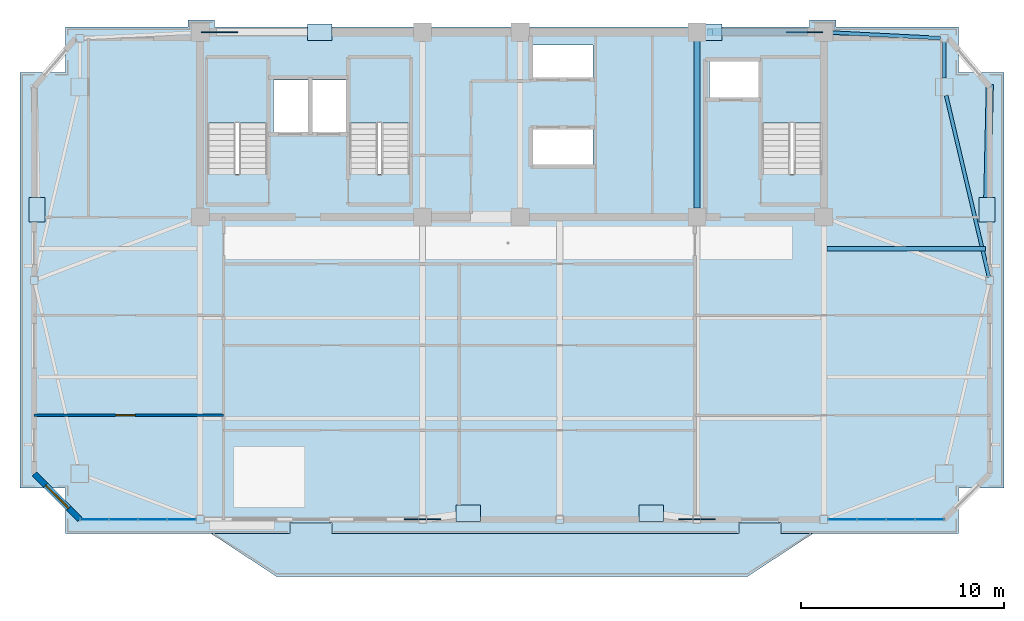
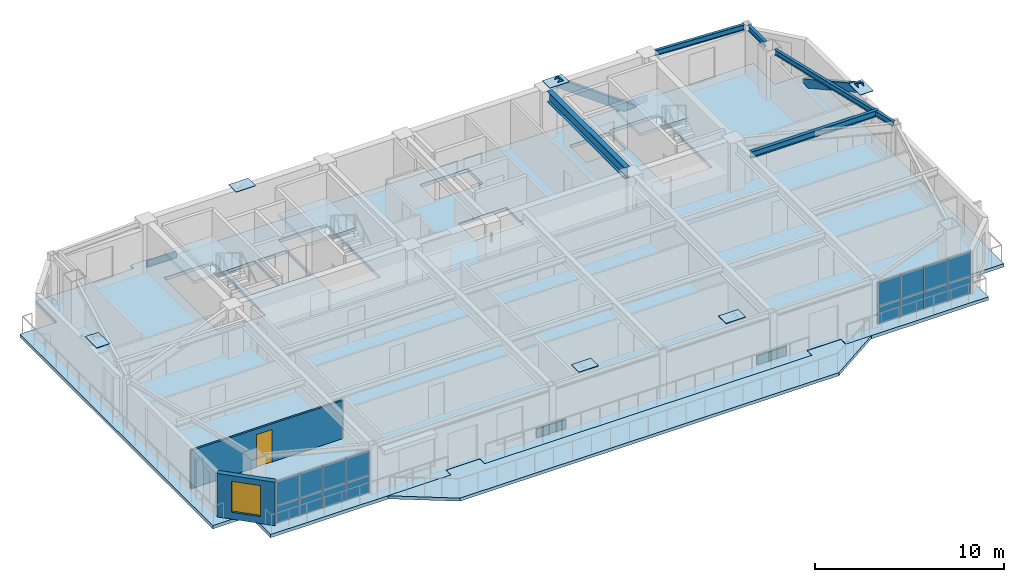
# One storey, part 5 of 13: 26 plates, 5 beams, 5 slabs, 2 members, 2 walls, 1 door, 1 window, 2 openings, 5 elements without a shape of their own.
"""IFC4 building model written with IfcOpenShell, lengths in metres."""

import ifcopenshell
import ifcopenshell.guid

model = None  # the IFC model being written
_history = None  # IfcOwnerHistory: only IFC2X3 demands one
_inside = {}  # id of a spatial element -> (the spatial element, [elements in it])
_under = {}  # id of a project, library or spatial element -> (it, [spatial elements below it])
_declared = {}  # id of a project -> (the project, [libraries it declares])
_typed = {}  # id of a type object -> (the type object, [elements of that type])
_made_of = {}  # id of a material, layer set ... -> (it, [elements and type objects made of it])


def new_model(schema):
    """Start an empty IFC model of exactly this schema.

    Asked for "IFC4X3", IfcOpenShell would pick the latest addendum, in which some entities
    have other attributes; the version numbers below select the first issue.
    IFC2X3 requires an IfcOwnerHistory on every rooted entity: one is made here for all.
    """
    global model, _history
    if schema == "IFC4X3":
        model = ifcopenshell.file(schema_version=(4, 3, 0, 0))
    else:
        model = ifcopenshell.file(schema=schema)
    _inside.clear()
    _under.clear()
    _declared.clear()
    _typed.clear()
    _made_of.clear()
    _history = None
    if model.schema == "IFC2X3":
        org = make("IfcOrganization", Name="unknown")
        user = make(
            "IfcPersonAndOrganization",
            ThePerson=make("IfcPerson", FamilyName="unknown"),
            TheOrganization=org,
        )
        app = make(
            "IfcApplication",
            ApplicationDeveloper=org,
            Version="unknown",
            ApplicationFullName="unknown",
            ApplicationIdentifier="unknown",
        )
        _history = make(
            "IfcOwnerHistory",
            OwningUser=user,
            OwningApplication=app,
            ChangeAction="ADDED",
            CreationDate=0,
        )
    return model


def make(cls, **values):
    """One entity of the class cls with the attributes given. An attribute that is None is left unset."""
    return model.create_entity(
        cls, **{name: value for name, value in values.items() if value is not None}
    )


def rooted(cls, **values):
    """An entity with a GlobalId (a new one), such as an element, a storey or a relation."""
    return make(cls, GlobalId=ifcopenshell.guid.new(), OwnerHistory=_history, **values)


def si_unit(unit_type, name, prefix=None):
    """IfcSIUnit, for example si_unit("LENGTHUNIT", "METRE", prefix="MILLI")."""
    return make("IfcSIUnit", UnitType=unit_type, Prefix=prefix, Name=name)


def assignment(units):
    """IfcUnitAssignment: the units of a project."""
    return None if units is None else make("IfcUnitAssignment", Units=units)


def point(xyz):
    """IfcCartesianPoint."""
    return None if xyz is None else make("IfcCartesianPoint", Coordinates=xyz)


def direction(xyz):
    """IfcDirection."""
    return None if xyz is None else make("IfcDirection", DirectionRatios=xyz)


def frame(location, z_axis=None, x_axis=None):
    """IfcAxis2Placement3D, a coordinate frame: its origin and axes. An axis left out is left unset."""
    return make(
        "IfcAxis2Placement3D",
        Location=point(location),
        Axis=direction(z_axis),
        RefDirection=direction(x_axis),
    )


def frame_2d(location, x_axis=None):
    """IfcAxis2Placement2D, a coordinate frame in the plane: its origin and x axis."""
    return make(
        "IfcAxis2Placement2D", Location=point(location), RefDirection=direction(x_axis)
    )


def origin():
    """The frame at (0, 0, 0) with its axes left unset."""
    return frame((0.0, 0.0, 0.0))


def origin_2d():
    """The frame at (0, 0) in the plane with its x axis left unset."""
    return frame_2d((0.0, 0.0))


def place(relative_to, where):
    """IfcLocalPlacement: puts the frame where relative to a parent placement (None: the world)."""
    return make(
        "IfcLocalPlacement", PlacementRelTo=relative_to, RelativePlacement=where
    )


def context(
    kind, dimensions, precision=None, world=None, true_north=None, identifier=None
):
    """IfcGeometricRepresentationContext, for example the 3D "Model" context."""
    return make(
        "IfcGeometricRepresentationContext",
        ContextIdentifier=identifier,
        ContextType=kind,
        CoordinateSpaceDimension=dimensions,
        Precision=precision,
        WorldCoordinateSystem=world,
        TrueNorth=true_north,
    )


def subcontext(parent, identifier, kind, view, scale=None):
    """IfcGeometricRepresentationSubContext, for example "Body" below "Model"."""
    return make(
        "IfcGeometricRepresentationSubContext",
        ContextIdentifier=identifier,
        ContextType=kind,
        ParentContext=parent,
        TargetScale=scale,
        TargetView=view,
    )


def project(units=None, contexts=None):
    """IfcProject with its units and contexts."""
    return rooted(
        "IfcProject",
        Name="project",
        RepresentationContexts=contexts,
        UnitsInContext=assignment(units),
    )


def spatial(cls, under=None, at=None, **own):
    """A site, building, storey or space (cls), placed at a placement, below another one or the project."""
    s = rooted(cls, ObjectPlacement=at, **own)
    if under is not None:
        _under.setdefault(under.id(), (under, []))[1].append(s)
    return s


def polyline(points):
    """IfcPolyline through the points."""
    return make("IfcPolyline", Points=[point(p) for p in points])


def profile(cls, at=None, kind="AREA", **sizes):
    """A parametric profile (cls). Its sizes go by their IFC names, for example OverallWidth=200.0."""
    return make(cls, ProfileType=kind, Position=at, **sizes)


def rectangle(**sizes):
    """IfcRectangleProfileDef."""
    return profile("IfcRectangleProfileDef", **sizes)


def hollow_rectangle(**sizes):
    """IfcRectangleHollowProfileDef."""
    return profile("IfcRectangleHollowProfileDef", **sizes)


def i_section(**sizes):
    """IfcIShapeProfileDef."""
    return profile("IfcIShapeProfileDef", **sizes)


def outline(outer, holes=None, kind="AREA"):
    """IfcArbitraryClosedProfileDef: a profile drawn as a closed curve; with holes, ...WithVoids."""
    if holes is None:
        return make("IfcArbitraryClosedProfileDef", ProfileType=kind, OuterCurve=outer)
    return make(
        "IfcArbitraryProfileDefWithVoids",
        ProfileType=kind,
        OuterCurve=outer,
        InnerCurves=holes,
    )


def extrude(swept, where, along, depth):
    """IfcExtrudedAreaSolid: the profile swept, set in the frame where, extruded along a direction by depth."""
    return make(
        "IfcExtrudedAreaSolid",
        SweptArea=swept,
        Position=where,
        ExtrudedDirection=direction(along),
        Depth=depth,
    )


def shape(context_of_items, identifier, shape_type, items):
    """IfcShapeRepresentation: the items that make up one representation, for example the "Body"."""
    return make(
        "IfcShapeRepresentation",
        ContextOfItems=context_of_items,
        RepresentationIdentifier=identifier,
        RepresentationType=shape_type,
        Items=items,
    )


def source(mapping_origin, context_of_items, identifier, shape_type, items):
    """IfcRepresentationMap: a shape defined once, which mapped items show again and again."""
    return make(
        "IfcRepresentationMap",
        MappingOrigin=mapping_origin,
        MappedRepresentation=shape(context_of_items, identifier, shape_type, items),
    )


def transform(
    local_origin,
    x_axis=None,
    y_axis=None,
    z_axis=None,
    scale=None,
    scale2=None,
    scale3=None,
    uniform=True,
):
    """IfcCartesianTransformationOperator3D, or its non-uniform kind. x_axis, y_axis, z_axis: its Axis1, 2, 3."""
    if uniform:
        return make(
            "IfcCartesianTransformationOperator3D",
            Axis1=direction(x_axis),
            Axis2=direction(y_axis),
            LocalOrigin=point(local_origin),
            Scale=scale,
            Axis3=direction(z_axis),
        )
    return make(
        "IfcCartesianTransformationOperator3DnonUniform",
        Axis1=direction(x_axis),
        Axis2=direction(y_axis),
        LocalOrigin=point(local_origin),
        Scale=scale,
        Axis3=direction(z_axis),
        Scale2=scale2,
        Scale3=scale3,
    )


def mapped(mapping_source, mapping_target):
    """IfcMappedItem: shows the shape of a source again, moved by a transform."""
    return make(
        "IfcMappedItem", MappingSource=mapping_source, MappingTarget=mapping_target
    )


def material(Name=None, Category=None):
    """IfcMaterial."""
    return make("IfcMaterial", Name=Name, Category=Category)


def layer(
    of_material, thickness, ventilated=None, Name=None, Category=None, Priority=None
):
    """IfcMaterialLayer: one layer of a wall or slab, of a material (None: an air gap)."""
    return make(
        "IfcMaterialLayer",
        Material=of_material,
        LayerThickness=thickness,
        IsVentilated=ventilated,
        Name=Name,
        Category=Category,
        Priority=Priority,
    )


def layer_set(layers, Name=None):
    """IfcMaterialLayerSet."""
    return make("IfcMaterialLayerSet", MaterialLayers=layers, LayerSetName=Name)


def material_profile(
    of_material, cross_section, Name=None, Category=None, Priority=None
):
    """IfcMaterialProfile: a cross section and its material."""
    return make(
        "IfcMaterialProfile",
        Name=Name,
        Material=of_material,
        Profile=cross_section,
        Priority=Priority,
        Category=Category,
    )


def profile_set(profiles, Name=None, composite=None):
    """IfcMaterialProfileSet."""
    return make(
        "IfcMaterialProfileSet",
        Name=Name,
        MaterialProfiles=profiles,
        CompositeProfile=composite,
    )


def made_of(thing, what):
    """Note that an element or type object is made of a material, layer set ...; save() writes the relation."""
    if what is not None:
        _made_of.setdefault(what.id(), (what, []))[1].append(thing)
    return thing


def type_object(cls, material=None, **own):
    """A type object (cls), such as IfcWallType, which elements share."""
    return made_of(rooted(cls, **own), material)


def element(
    cls,
    number,
    at=None,
    inside=None,
    cuts=None,
    type_object=None,
    material=None,
    context=None,
    identifier="Body",
    shape_type=None,
    held_by="IfcProductDefinitionShape",
    body=None,
    shapes=None,
    **own,
):
    """One element of the class cls, such as IfcWall. Its Tag is "e" and its number.

    at: its placement. inside: the storey or other place that contains it. cuts: it is an
    opening in that element (IfcRelVoidsElement). A single representation is given by context,
    identifier, shape_type and body (its items); several are given by shapes. held_by: the class
    of the entity that holds the representations. save() writes the other relations.
    """
    e = rooted(cls, Tag="e%d" % number, ObjectPlacement=at, **own)
    if body is not None:
        shapes = [shape(context, identifier, shape_type, body)]
    if shapes is not None:
        e.Representation = make(held_by, Representations=shapes)
    if inside is not None:
        _inside.setdefault(inside.id(), (inside, []))[1].append(e)
    if cuts is not None:
        rooted(
            "IfcRelVoidsElement", RelatingBuildingElement=cuts, RelatedOpeningElement=e
        )
    if type_object is not None:
        _typed.setdefault(type_object.id(), (type_object, []))[1].append(e)
    return made_of(e, material)


def fill(opening, filler):
    """IfcRelFillsElement: the door or window that sits in an opening."""
    return rooted(
        "IfcRelFillsElement",
        RelatingOpeningElement=opening,
        RelatedBuildingElement=filler,
    )


def aggregate(whole, parts):
    """IfcRelAggregates: a whole, such as a stair, and the parts it consists of."""
    return rooted("IfcRelAggregates", RelatingObject=whole, RelatedObjects=parts)


def save(model, path):
    """Write the relations noted so far, then the file.

    IfcRelAggregates (storeys below a building ...), IfcRelContainedInSpatialStructure (elements
    in a storey), IfcRelDefinesByType, IfcRelAssociatesMaterial and IfcRelDeclares: one each for
    every whole, place, type object, material and project.
    """
    for whole, parts in _under.values():
        aggregate(whole, parts)
    for where, things in _inside.values():
        rooted(
            "IfcRelContainedInSpatialStructure",
            RelatedElements=things,
            RelatingStructure=where,
        )
    for kind, things in _typed.values():
        rooted("IfcRelDefinesByType", RelatedObjects=things, RelatingType=kind)
    for what, things in _made_of.values():
        rooted("IfcRelAssociatesMaterial", RelatedObjects=things, RelatingMaterial=what)
    for by, libraries in _declared.values():
        rooted("IfcRelDeclares", RelatingContext=by, RelatedDefinitions=libraries)
    model.write(path)


model = new_model("IFC4")

# Units and contexts
model_context = context("Model", 3, precision=1e-05, world=origin(), true_north=direction((0.0, 1.0)))
body_context = subcontext(model_context, "Body", "Model", "MODEL_VIEW")
ifc_project = project(units=[si_unit("LENGTHUNIT", "METRE"), si_unit("AREAUNIT", "SQUARE_METRE"), si_unit("VOLUMEUNIT", "CUBIC_METRE"), si_unit("PLANEANGLEUNIT", "RADIAN"), si_unit("MASSUNIT", "GRAM", prefix="KILO")], contexts=[model_context])

# Site, building, storey
site_placement = place(None, origin())
site = spatial("IfcSite", under=ifc_project, at=site_placement, CompositionType="ELEMENT")
building_placement = place(site_placement, origin())
building = spatial("IfcBuilding", under=site, at=building_placement, Name="Giltprow Tower", CompositionType="ELEMENT")
storey_placement = place(building_placement, frame((0.0, 0.0, 335.699951171875)))
storey = spatial("IfcBuildingStorey", under=building, at=storey_placement, Name="L87", CompositionType="ELEMENT", Elevation=335.699951171875)

# Beams
ifc_material_1 = material(Name="Structural steel Q355B", Category="steel")
ifc_material_profile_1 = material_profile(ifc_material_1, i_section(OverallWidth=0.300048828125, OverallDepth=0.699951171875, WebThickness=0.012939453125, FlangeThickness=0.02392578125, at=origin_2d()), Name="HN 700x300x13x24")
ifc_profile_set_1 = profile_set([ifc_material_profile_1], Name="Structural steel Q355B")
beam_type_1 = type_object("IfcBeamType", Name="BM-GIRD-HN700", PredefinedType="BEAM", material=ifc_profile_set_1)
shared_shape_1 = source(origin(), body_context, "Body", "SweptSolid", [
    extrude(i_section(OverallWidth=0.300048828125, OverallDepth=0.699951171875, WebThickness=0.012939453125, FlangeThickness=0.02392578125, at=origin_2d()), origin(), (0.0, 0.0, 1.0), 8.22998046875),
])
beam_1_placement = place(storey_placement, frame((44.300048828125, 37.885009765625, 2.8349609375), z_axis=(0.0, 1.0, 0.0), x_axis=(-1.0, 0.0, 0.0)))
element("IfcBeam", 1, at=beam_1_placement, inside=storey, type_object=beam_type_1, Name="L87 Core Tie Girder M3", PredefinedType="BEAM", context=body_context, shape_type="MappedRepresentation", body=[
    mapped(shared_shape_1, transform((0.0, 0.0, 0.0), x_axis=(1.0, 0.0, 0.0), y_axis=(0.0, 1.0, 0.0), z_axis=(0.0, 0.0, 1.0), scale=1.0)),
])
ifc_material_profile_2 = material_profile(ifc_material_1, i_section(OverallWidth=0.175048828125, OverallDepth=0.35009765625, WebThickness=0.007080078125, FlangeThickness=0.010986328125, at=origin_2d()), Name="HN 350x175x7x11")
ifc_profile_set_2 = profile_set([ifc_material_profile_2], Name="Structural steel Q355B")
beam_type_2 = type_object("IfcBeamType", Name="BM-SPAN-HN350", PredefinedType="SPANDREL", material=ifc_profile_set_2)
shared_shape_2 = source(origin(), body_context, "Body", "SweptSolid", [
    extrude(i_section(OverallWidth=0.175048828125, OverallDepth=0.35009765625, WebThickness=0.007080078125, FlangeThickness=0.010986328125, at=origin_2d()), origin(), (0.0, 0.0, 1.0), 9.161865234375),
])
beam_2_placement = place(storey_placement, frame((58.673095703125, 34.513916015625, 3.010009765625), z_axis=(-0.22964825006, 0.973273692876, 0.0), x_axis=(-0.973273692876, -0.22964825006, 0.0)))
element("IfcBeam", 2, at=beam_2_placement, inside=storey, type_object=beam_type_2, Name="L87 Perimeter Spandrel Beam E_MID-MC_NE", PredefinedType="SPANDREL", context=body_context, shape_type="MappedRepresentation", body=[
    mapped(shared_shape_2, transform((0.0, 0.0, 0.0), x_axis=(1.0, 0.0, 0.0), y_axis=(0.0, 1.0, 0.0), z_axis=(0.0, 0.0, 1.0), scale=1.0)),
])
shared_shape_3 = source(origin(), body_context, "Body", "SweptSolid", [
    extrude(i_section(OverallWidth=0.175048828125, OverallDepth=0.35009765625, WebThickness=0.007080078125, FlangeThickness=0.010986328125, at=origin_2d()), origin(), (0.0, 0.0, 1.0), 1.77587890625),
])
beam_3_placement = place(storey_placement, frame((56.468994140625, 44.2890625, 3.010009765625), z_axis=(0.0, 1.0, 0.0), x_axis=(-1.0, 0.0, 0.0)))
element("IfcBeam", 3, at=beam_3_placement, inside=storey, type_object=beam_type_2, Name="L87 Perimeter Spandrel Beam MC_NE-N_E", PredefinedType="SPANDREL", context=body_context, shape_type="MappedRepresentation", body=[
    mapped(shared_shape_3, transform((0.0, 0.0, 0.0), x_axis=(1.0, 0.0, 0.0), y_axis=(0.0, 1.0, 0.0), z_axis=(0.0, 0.0, 1.0), scale=1.0)),
])
shared_shape_4 = source(origin(), body_context, "Body", "SweptSolid", [
    extrude(i_section(OverallWidth=0.175048828125, OverallDepth=0.35009765625, WebThickness=0.007080078125, FlangeThickness=0.010986328125, at=origin_2d()), origin(), (0.0, 0.0, 1.0), 5.306884765625),
])
beam_4_placement = place(storey_placement, frame((50.98388671875, 46.528076171875, 3.010009765625), z_axis=(0.998714076234, -0.050697080106, 0.0), x_axis=(0.050697080106, 0.998714076234, 0.0)))
element("IfcBeam", 4, at=beam_4_placement, inside=storey, type_object=beam_type_2, Name="L87 North Wing Spandrel E", PredefinedType="SPANDREL", context=body_context, shape_type="MappedRepresentation", body=[
    mapped(shared_shape_4, transform((0.0, 0.0, 0.0), x_axis=(1.0, 0.0, 0.0), y_axis=(0.0, 1.0, 0.0), z_axis=(0.0, 0.0, 1.0), scale=1.0)),
])
ifc_material_profile_3 = material_profile(ifc_material_1, i_section(OverallWidth=0.199951171875, OverallDepth=0.39990234375, WebThickness=0.008056640625, FlangeThickness=0.012939453125, at=origin_2d()), Name="HN 400x200x8x13")
ifc_profile_set_3 = profile_set([ifc_material_profile_3], Name="Structural steel Q355B")
beam_type_3 = type_object("IfcBeamType", Name="BM-JOIST-HN400", PredefinedType="JOIST", material=ifc_profile_set_3)
shared_shape_5 = source(origin(), body_context, "Body", "SweptSolid", [
    extrude(i_section(OverallWidth=0.199951171875, OverallDepth=0.39990234375, WebThickness=0.008056640625, FlangeThickness=0.012939453125, at=origin_2d()), origin(), (0.0, 0.0, 1.0), 7.800048828125),
])
beam_5_placement = place(storey_placement, frame((50.695068359375, 35.89208984375, 2.985107421875), z_axis=(1.0, 0.0, 0.0), x_axis=(0.0, 1.0, 0.0)))
element("IfcBeam", 5, at=beam_5_placement, inside=storey, type_object=beam_type_3, Name="L87 East Wing Floor Joist 2", PredefinedType="JOIST", context=body_context, shape_type="MappedRepresentation", body=[
    mapped(shared_shape_5, transform((0.0, 0.0, 0.0), x_axis=(1.0, 0.0, 0.0), y_axis=(0.0, 1.0, 0.0), z_axis=(0.0, 0.0, 1.0), scale=1.0)),
])

# Members
ifc_material_2 = material(Name="Structural steel Q420GJC", Category="steel")
ifc_material_profile_4 = material_profile(ifc_material_2, hollow_rectangle(XDim=0.35009765625, YDim=0.5, WallThickness=0.02392578125, at=origin_2d()), Name="RHS 500x350x24")
ifc_profile_set_4 = profile_set([ifc_material_profile_4], Name="Structural steel Q420GJC")
member_type = type_object("IfcMemberType", Name="MBR-MEGA-RHS500", PredefinedType="BRACE", material=ifc_profile_set_4)
shared_shape_6 = source(origin(), body_context, "Body", "SweptSolid", [
    extrude(hollow_rectangle(XDim=0.35009765625, YDim=0.5, WallThickness=0.02392578125, at=origin_2d()), origin(), (0.0, 0.0, 1.0), 5.774169921875),
])
member_1_placement = place(storey_placement, frame((49.60009765625, 46.550048828125, -0.139892578125), z_axis=(-0.808264093398, 0.0, 0.588820138348), x_axis=(0.0, -1.0, 0.0)))
element("IfcMember", 6, at=member_1_placement, inside=storey, type_object=member_type, Name="L87 Chevron Mega-Brace N-R", PredefinedType="BRACE", context=body_context, shape_type="MappedRepresentation", body=[
    mapped(shared_shape_6, transform((0.0, 0.0, 0.0), x_axis=(1.0, 0.0, 0.0), y_axis=(0.0, 1.0, 0.0), z_axis=(0.0, 0.0, 1.0), scale=1.0)),
])
shared_shape_7 = source(origin(), body_context, "Body", "SweptSolid", [
    extrude(hollow_rectangle(XDim=0.35009765625, YDim=0.5, WallThickness=0.02392578125, at=origin_2d()), origin(), (0.0, 0.0, 1.0), 6.9423828125),
])
member_2_placement = place(storey_placement, frame((58.715087890625, 43.85400390625, 0.0), z_axis=(-0.01990469352, -0.871621605819, 0.489775029423), x_axis=(0.99973935152, -0.022830440708, 0.0)))
element("IfcMember", 7, at=member_2_placement, inside=storey, type_object=member_type, Name="L87 Chevron Mega-Brace E-D", PredefinedType="BRACE", context=body_context, shape_type="MappedRepresentation", body=[
    mapped(shared_shape_7, transform((0.0, 0.0, 0.0), x_axis=(1.0, 0.0, 0.0), y_axis=(0.0, 1.0, 0.0), z_axis=(0.0, 0.0, 1.0), scale=1.0)),
])

# Slabs
ifc_material_3 = material(Name="Concrete C40", Category="concrete")
ifc_layer_1 = layer(ifc_material_3, 0.199951171875, Name="Concrete C40")
ifc_layer_set_1 = layer_set([ifc_layer_1], Name="Concrete C40")
slab_type_1 = type_object("IfcSlabType", Name="SLB-BALC-BRONZE-200", PredefinedType="FLOOR", material=ifc_layer_set_1)
slab_1_placement = place(storey_placement, frame((0.0, 0.0, -0.199951171875)))
element("IfcSlab", 8, at=slab_1_placement, inside=storey, type_object=slab_type_1, Name="L87 Bronze Prow Waterfront Balcony Slab", PredefinedType="FLOOR", context=body_context, shape_type="SweptSolid", body=[
    extrude(outline(polyline([(50.0, 21.867919921875), (46.800048828125, 19.76806640625), (23.60009765625, 19.76806640625), (20.39990234375, 21.867919921875), (24.280029296875, 21.867919921875), (24.280029296875, 22.367919921875), (26.320068359375, 22.367919921875), (26.320068359375, 21.867919921875), (46.3798828125, 21.867919921875), (46.3798828125, 22.367919921875), (48.419921875, 22.367919921875), (48.419921875, 21.867919921875), (50.0, 21.867919921875)])), origin(), (0.0, 0.0, 1.0), 0.199951171875),
])
ifc_layer_2 = layer(ifc_material_3, 0.215087890625, Name="Concrete C40")
ifc_layer_set_2 = layer_set([ifc_layer_2], Name="Concrete C40")
slab_type_2 = type_object("IfcSlabType", Name="SLB-RES-215", PredefinedType="FLOOR", material=ifc_layer_set_2)
slab_2_placement = place(storey_placement, frame((0.0, 0.0, -0.21484375)))
element("IfcSlab", 9, at=slab_2_placement, inside=storey, type_object=slab_type_2, Name="L87 Structural Composite Floor Slab", PredefinedType="FLOOR", context=body_context, shape_type="SweptSolid", body=[
    extrude(outline(polyline([(59.4150390625, 44.553955078125), (59.4150390625, 24.114013671875), (57.1689453125, 24.114013671875), (57.1689453125, 21.867919921875), (48.449951171875, 21.867919921875), (48.449951171875, 22.387939453125), (46.35009765625, 22.387939453125), (46.35009765625, 21.867919921875), (26.35009765625, 21.867919921875), (26.35009765625, 22.387939453125), (24.25, 22.387939453125), (24.25, 21.867919921875), (13.23095703125, 21.867919921875), (13.23095703125, 24.114013671875), (10.985107421875, 24.114013671875), (10.985107421875, 44.553955078125), (13.23095703125, 44.553955078125), (13.23095703125, 46.800048828125), (19.25, 46.800048828125), (19.25, 47.14990234375), (20.550048828125, 47.14990234375), (20.550048828125, 46.800048828125), (49.85009765625, 46.800048828125), (49.85009765625, 47.14990234375), (51.14990234375, 47.14990234375), (51.14990234375, 46.800048828125), (57.1689453125, 46.800048828125), (57.1689453125, 44.553955078125), (59.4150390625, 44.553955078125)]), holes=[polyline([(39.18994140625, 41.800048828125), (36.239990234375, 41.800048828125), (36.239990234375, 40.0), (39.18994140625, 40.0), (39.18994140625, 41.800048828125)]), polyline([(23.159912109375, 39.570068359375), (23.159912109375, 45.25), (20.199951171875, 45.25), (20.199951171875, 39.570068359375), (23.159912109375, 39.570068359375)]), polyline([(30.159912109375, 39.570068359375), (30.159912109375, 45.25), (27.199951171875, 45.25), (27.199951171875, 39.570068359375), (30.159912109375, 39.570068359375)]), polyline([(50.4599609375, 45.25), (47.5, 45.25), (47.5, 39.570068359375), (50.4599609375, 39.570068359375), (50.4599609375, 45.25)]), polyline([(25.169921875, 44.199951171875), (23.449951171875, 44.199951171875), (23.449951171875, 41.60009765625), (25.169921875, 41.60009765625), (25.169921875, 44.199951171875)]), polyline([(27.10009765625, 44.199951171875), (25.35009765625, 44.199951171875), (25.35009765625, 41.60009765625), (27.10009765625, 41.60009765625), (27.10009765625, 44.199951171875)]), polyline([(47.3798828125, 43.300048828125), (47.3798828125, 45.10009765625), (44.919921875, 45.10009765625), (44.919921875, 43.300048828125), (47.3798828125, 43.300048828125)]), polyline([(39.18994140625, 44.300048828125), (39.18994140625, 45.919921875), (36.239990234375, 45.919921875), (36.239990234375, 44.300048828125), (39.18994140625, 44.300048828125)])]), origin(), (0.0, 0.0, 1.0), 0.21484375),
])

# Stair, slab
stair_type_1 = type_object("IfcStairType", Name="STR-ST-1", PredefinedType="HALF_TURN_STAIR", material=ifc_material_3)
stair_1_placement = place(storey_placement, origin())
stair_1 = element("IfcStair", 10, at=stair_1_placement, inside=storey, type_object=stair_type_1, Name="L87 Core Exit Stair ST-1", PredefinedType="HALF_TURN_STAIR")
ifc_layer_3 = layer(ifc_material_3, 0.179931640625, Name="Concrete C40")
ifc_layer_set_3 = layer_set([ifc_layer_3], Name="Concrete C40")
slab_type_3 = type_object("IfcSlabType", Name="SLD-ST-1", PredefinedType="LANDING", material=ifc_layer_set_3)
slab_3_placement = place(storey_placement, frame((0.0, 0.0, 1.52001953125)))
slab_3 = element("IfcSlab", 11, at=slab_3_placement, type_object=slab_type_3, Name="ST-1 landing 1", PredefinedType="LANDING", context=body_context, shape_type="SweptSolid", body=[
    extrude(outline(polyline([(23.159912109375, 42.070068359375), (23.159912109375, 45.25), (20.199951171875, 45.25), (20.199951171875, 42.070068359375), (23.159912109375, 42.070068359375)])), origin(), (0.0, 0.0, 1.0), 0.179931640625),
])
aggregate(stair_1, [slab_3])

stair_type_2 = type_object("IfcStairType", Name="STR-ST-2", PredefinedType="HALF_TURN_STAIR", material=ifc_material_3)
stair_2_placement = place(storey_placement, origin())
stair_2 = element("IfcStair", 12, at=stair_2_placement, inside=storey, type_object=stair_type_2, Name="L87 Core Exit Stair ST-2", PredefinedType="HALF_TURN_STAIR")
ifc_layer_4 = layer(ifc_material_3, 0.18798828125, Name="Concrete C40")
ifc_layer_set_4 = layer_set([ifc_layer_4], Name="Concrete C40")
slab_type_4 = type_object("IfcSlabType", Name="SLD-ST-2", PredefinedType="LANDING", material=ifc_layer_set_4)
slab_4_placement = place(storey_placement, frame((0.0, 0.0, 1.511962890625)))
slab_4 = element("IfcSlab", 13, at=slab_4_placement, type_object=slab_type_4, Name="ST-2 landing 1", PredefinedType="LANDING", context=body_context, shape_type="SweptSolid", body=[
    extrude(outline(polyline([(30.159912109375, 42.070068359375), (30.159912109375, 45.25), (27.199951171875, 45.25), (27.199951171875, 42.070068359375), (30.159912109375, 42.070068359375)])), origin(), (0.0, 0.0, 1.0), 0.18798828125),
])
aggregate(stair_2, [slab_4])

stair_type_3 = type_object("IfcStairType", Name="STR-ST-3", PredefinedType="HALF_TURN_STAIR", material=ifc_material_3)
stair_3_placement = place(storey_placement, origin())
stair_3 = element("IfcStair", 14, at=stair_3_placement, inside=storey, type_object=stair_type_3, Name="L87 Core Exit Stair ST-3", PredefinedType="HALF_TURN_STAIR")
ifc_layer_5 = layer(ifc_material_3, 0.196044921875, Name="Concrete C40")
ifc_layer_set_5 = layer_set([ifc_layer_5], Name="Concrete C40")
slab_type_5 = type_object("IfcSlabType", Name="SLD-ST-3", PredefinedType="LANDING", material=ifc_layer_set_5)
slab_5_placement = place(storey_placement, frame((0.0, 0.0, 1.504150390625)))
slab_5 = element("IfcSlab", 15, at=slab_5_placement, type_object=slab_type_5, Name="ST-3 landing 1", PredefinedType="LANDING", context=body_context, shape_type="SweptSolid", body=[
    extrude(outline(polyline([(50.4599609375, 42.070068359375), (50.4599609375, 45.25), (47.5, 45.25), (47.5, 42.070068359375), (50.4599609375, 42.070068359375)])), origin(), (0.0, 0.0, 1.0), 0.19580078125),
])
aggregate(stair_3, [slab_5])

# Plates
plate_type_1 = type_object("IfcPlateType", Name="PLT-NODE-MBN1", PredefinedType="USERDEFINED", material=ifc_material_2)
shared_shape_8 = source(origin(), body_context, "Body", "SweptSolid", [
    extrude(rectangle(XDim=1.800048828125, YDim=0.050048828125, at=origin_2d()), origin(), (0.0, 0.0, 1.0), 1.14990234375),
])
for number, where, z_axis, x_axis, name in (
    (16, (30.800048828125, 22.568115234375, -0.574951171875), (0.0, 0.0, 1.0), (1.0, 0.0, 0.0), "Mega-Brace Node L87-S-LA"),
    (17, (44.300048828125, 22.568115234375, -0.574951171875), (0.0, 0.0, 1.0), (1.0, 0.0, 0.0), "Mega-Brace Node L87-S-RA"),
    (18, (20.800048828125, 46.550048828125, -0.71484375), (0.0, 0.0, 1.0), (1.0, 0.0, 0.0), "Mega-Brace Node L87-N-LA"),
    (19, (49.60009765625, 46.550048828125, -0.71484375), (0.0, 0.0, 1.0), (1.0, 0.0, 0.0), "Mega-Brace Node L87-N-RA"),
):
    element("IfcPlate", number, at=place(storey_placement, frame(where, z_axis=z_axis, x_axis=x_axis)), inside=storey, type_object=plate_type_1, Name=name, ObjectType="GUSSET", PredefinedType="USERDEFINED", context=body_context, shape_type="MappedRepresentation", body=[
        mapped(shared_shape_8, transform((0.0, 0.0, 0.0), x_axis=(1.0, 0.0, 0.0), y_axis=(0.0, 1.0, 0.0), z_axis=(0.0, 0.0, 1.0), scale=1.0)),
    ])
plate_type_2 = type_object("IfcPlateType", Name="PLT-CAP-SEAL", PredefinedType="USERDEFINED", material=ifc_material_2)
shared_shape_9 = source(origin(), body_context, "Body", "SweptSolid", [
    extrude(rectangle(XDim=1.199951171875, YDim=0.800048828125, at=origin_2d()), origin(), (0.0, 0.0, 1.0), 0.034912109375),
])
for number, where, z_axis, x_axis, name in (
    (20, (33.050048828125, 22.87890625, 3.3828125), (0.0, 0.0, 1.0), (1.0, 0.0, 0.0), "Mega-Brace Node L87-S-LB"),
    (21, (42.050048828125, 22.87890625, 3.3828125), (0.0, 0.0, 1.0), (1.0, 0.0, 0.0), "Mega-Brace Node L87-S-RB"),
    (22, (25.73291015625, 46.550048828125, 3.24267578125), (0.0, 0.0, 1.0), (1.0, 0.0, 0.0), "Mega-Brace Node L87-N-LB"),
    (23, (44.93310546875, 46.550048828125, 3.24267578125), (0.0, 0.0, 1.0), (1.0, 0.0, 0.0), "Mega-Brace Node L87-N-RB"),
    (24, (11.822998046875, 37.802978515625, 3.3828125), (0.0, 0.0, 1.0), (0.0, 1.0, 0.0), "Mega-Brace Node L87-W-DB"),
    (25, (58.576904296875, 37.802978515625, 3.3828125), (0.0, 0.0, 1.0), (0.0, 1.0, 0.0), "Mega-Brace Node L87-E-DB"),
):
    element("IfcPlate", number, at=place(storey_placement, frame(where, z_axis=z_axis, x_axis=x_axis)), inside=storey, type_object=plate_type_2, Name=name, ObjectType="SPLICE", PredefinedType="USERDEFINED", context=body_context, shape_type="MappedRepresentation", body=[
        mapped(shared_shape_9, transform((0.0, 0.0, 0.0), x_axis=(1.0, 0.0, 0.0), y_axis=(0.0, 1.0, 0.0), z_axis=(0.0, 0.0, 1.0), scale=1.0)),
    ])

# Curtain wall, plates
ifc_material_4 = material(Name="Anodized bronze", Category="metal")
ifc_layer_6 = layer(ifc_material_4, 0.179931640625, Name="Anodized bronze")
ifc_layer_set_6 = layer_set([ifc_layer_6], Name="Anodized bronze")
curtain_wall_type = type_object("IfcCurtainWallType", Name="CW-RES-SKY", PredefinedType="NOTDEFINED", material=ifc_layer_set_6)
curtain_wall_1_placement = place(storey_placement, origin())
curtain_wall_1 = element("IfcCurtainWall", 26, at=curtain_wall_1_placement, inside=storey, type_object=curtain_wall_type, Name="L87 South Recessed Curtain Wall 1", PredefinedType="NOTDEFINED")
ifc_material_5 = material(Name="Insulated glass", Category="glass")
plate_type_3 = type_object("IfcPlateType", Name="CW-PANEL-IGU-28", PredefinedType="CURTAIN_PANEL", material=ifc_material_5)
shared_shape_10 = source(origin(), body_context, "Body", "SweptSolid", [
    extrude(rectangle(XDim=1.39990234375, YDim=0.028076171875, at=origin_2d()), origin(), (0.0, 0.0, 1.0), 1.114013671875),
])
plate_1_placement = place(storey_placement, frame((14.64599609375, 22.568115234375, 0.05419921875), z_axis=(0.0, 0.0, 1.0), x_axis=(1.0, 0.0, 0.0)))
plate_1 = element("IfcPlate", 27, at=plate_1_placement, type_object=plate_type_3, Name="L87 South Recessed Curtain Wall 1 Glazing Panel 1-1", PredefinedType="CURTAIN_PANEL", context=body_context, shape_type="MappedRepresentation", body=[
    mapped(shared_shape_10, transform((0.0, 0.0, 0.0), x_axis=(1.0, 0.0, 0.0), y_axis=(0.0, 1.0, 0.0), z_axis=(0.0, 0.0, 1.0), scale=1.0)),
])
plate_2_placement = place(storey_placement, frame((16.075927734375, 22.568115234375, 0.05419921875), z_axis=(0.0, 0.0, 1.0), x_axis=(1.0, 0.0, 0.0)))
plate_2 = element("IfcPlate", 28, at=plate_2_placement, type_object=plate_type_3, Name="L87 South Recessed Curtain Wall 1 Glazing Panel 2-1", PredefinedType="CURTAIN_PANEL", context=body_context, shape_type="MappedRepresentation", body=[
    mapped(shared_shape_10, transform((0.0, 0.0, 0.0), x_axis=(1.0, 0.0, 0.0), y_axis=(0.0, 1.0, 0.0), z_axis=(0.0, 0.0, 1.0), scale=1.0)),
])
plate_3_placement = place(storey_placement, frame((17.5048828125, 22.568115234375, 0.05419921875), z_axis=(0.0, 0.0, 1.0), x_axis=(1.0, 0.0, 0.0)))
plate_3 = element("IfcPlate", 29, at=plate_3_placement, type_object=plate_type_3, Name="L87 South Recessed Curtain Wall 1 Glazing Panel 3-1", PredefinedType="CURTAIN_PANEL", context=body_context, shape_type="MappedRepresentation", body=[
    mapped(shared_shape_10, transform((0.0, 0.0, 0.0), x_axis=(1.0, 0.0, 0.0), y_axis=(0.0, 1.0, 0.0), z_axis=(0.0, 0.0, 1.0), scale=1.0)),
])
plate_4_placement = place(storey_placement, frame((18.93505859375, 22.568115234375, 0.05419921875), z_axis=(0.0, 0.0, 1.0), x_axis=(1.0, 0.0, 0.0)))
plate_4 = element("IfcPlate", 30, at=plate_4_placement, type_object=plate_type_3, Name="L87 South Recessed Curtain Wall 1 Glazing Panel 4-1", PredefinedType="CURTAIN_PANEL", context=body_context, shape_type="MappedRepresentation", body=[
    mapped(shared_shape_10, transform((0.0, 0.0, 0.0), x_axis=(1.0, 0.0, 0.0), y_axis=(0.0, 1.0, 0.0), z_axis=(0.0, 0.0, 1.0), scale=1.0)),
])

curtain_wall_2_placement = place(storey_placement, origin())
curtain_wall_2 = element("IfcCurtainWall", 31, at=curtain_wall_2_placement, inside=storey, type_object=curtain_wall_type, Name="L87 South Recessed Curtain Wall 6", PredefinedType="NOTDEFINED")
plate_5_placement = place(storey_placement, frame((51.465087890625, 22.568115234375, 0.05419921875), z_axis=(0.0, 0.0, 1.0), x_axis=(1.0, 0.0, 0.0)))
plate_5 = element("IfcPlate", 32, at=plate_5_placement, type_object=plate_type_3, Name="L87 South Recessed Curtain Wall 6 Glazing Panel 1-1", PredefinedType="CURTAIN_PANEL", context=body_context, shape_type="MappedRepresentation", body=[
    mapped(shared_shape_10, transform((0.0, 0.0, 0.0), x_axis=(1.0, 0.0, 0.0), y_axis=(0.0, 1.0, 0.0), z_axis=(0.0, 0.0, 1.0), scale=1.0)),
])
plate_6_placement = place(storey_placement, frame((52.89501953125, 22.568115234375, 0.05419921875), z_axis=(0.0, 0.0, 1.0), x_axis=(1.0, 0.0, 0.0)))
plate_6 = element("IfcPlate", 33, at=plate_6_placement, type_object=plate_type_3, Name="L87 South Recessed Curtain Wall 6 Glazing Panel 2-1", PredefinedType="CURTAIN_PANEL", context=body_context, shape_type="MappedRepresentation", body=[
    mapped(shared_shape_10, transform((0.0, 0.0, 0.0), x_axis=(1.0, 0.0, 0.0), y_axis=(0.0, 1.0, 0.0), z_axis=(0.0, 0.0, 1.0), scale=1.0)),
])
plate_7_placement = place(storey_placement, frame((54.323974609375, 22.568115234375, 0.05419921875), z_axis=(0.0, 0.0, 1.0), x_axis=(1.0, 0.0, 0.0)))
plate_7 = element("IfcPlate", 34, at=plate_7_placement, type_object=plate_type_3, Name="L87 South Recessed Curtain Wall 6 Glazing Panel 3-1", PredefinedType="CURTAIN_PANEL", context=body_context, shape_type="MappedRepresentation", body=[
    mapped(shared_shape_10, transform((0.0, 0.0, 0.0), x_axis=(1.0, 0.0, 0.0), y_axis=(0.0, 1.0, 0.0), z_axis=(0.0, 0.0, 1.0), scale=1.0)),
])
plate_8_placement = place(storey_placement, frame((55.75390625, 22.568115234375, 0.05419921875), z_axis=(0.0, 0.0, 1.0), x_axis=(1.0, 0.0, 0.0)))
plate_8 = element("IfcPlate", 35, at=plate_8_placement, type_object=plate_type_3, Name="L87 South Recessed Curtain Wall 6 Glazing Panel 4-1", PredefinedType="CURTAIN_PANEL", context=body_context, shape_type="MappedRepresentation", body=[
    mapped(shared_shape_10, transform((0.0, 0.0, 0.0), x_axis=(1.0, 0.0, 0.0), y_axis=(0.0, 1.0, 0.0), z_axis=(0.0, 0.0, 1.0), scale=1.0)),
])

# Plate
shared_shape_11 = source(origin(), body_context, "Body", "SweptSolid", [
    extrude(rectangle(XDim=1.39990234375, YDim=0.028076171875, at=origin_2d()), origin(), (0.0, 0.0, 1.0), 1.56494140625),
])
plate_9_placement = place(storey_placement, frame((14.64599609375, 22.568115234375, 1.195556640625), z_axis=(0.0, 0.0, 1.0), x_axis=(1.0, 0.0, 0.0)))
plate_9 = element("IfcPlate", 36, at=plate_9_placement, type_object=plate_type_3, Name="L87 South Recessed Curtain Wall 1 Glazing Panel 1-2", PredefinedType="CURTAIN_PANEL", context=body_context, shape_type="MappedRepresentation", body=[
    mapped(shared_shape_11, transform((0.0, 0.0, 0.0), x_axis=(1.0, 0.0, 0.0), y_axis=(0.0, 1.0, 0.0), z_axis=(0.0, 0.0, 1.0), scale=1.0)),
])

plate_10_placement = place(storey_placement, frame((16.075927734375, 22.568115234375, 1.195556640625), z_axis=(0.0, 0.0, 1.0), x_axis=(1.0, 0.0, 0.0)))
plate_10 = element("IfcPlate", 37, at=plate_10_placement, type_object=plate_type_3, Name="L87 South Recessed Curtain Wall 1 Glazing Panel 2-2", PredefinedType="CURTAIN_PANEL", context=body_context, shape_type="MappedRepresentation", body=[
    mapped(shared_shape_11, transform((0.0, 0.0, 0.0), x_axis=(1.0, 0.0, 0.0), y_axis=(0.0, 1.0, 0.0), z_axis=(0.0, 0.0, 1.0), scale=1.0)),
])

plate_11_placement = place(storey_placement, frame((17.5048828125, 22.568115234375, 1.195556640625), z_axis=(0.0, 0.0, 1.0), x_axis=(1.0, 0.0, 0.0)))
plate_11 = element("IfcPlate", 38, at=plate_11_placement, type_object=plate_type_3, Name="L87 South Recessed Curtain Wall 1 Glazing Panel 3-2", PredefinedType="CURTAIN_PANEL", context=body_context, shape_type="MappedRepresentation", body=[
    mapped(shared_shape_11, transform((0.0, 0.0, 0.0), x_axis=(1.0, 0.0, 0.0), y_axis=(0.0, 1.0, 0.0), z_axis=(0.0, 0.0, 1.0), scale=1.0)),
])

plate_12_placement = place(storey_placement, frame((18.93505859375, 22.568115234375, 1.195556640625), z_axis=(0.0, 0.0, 1.0), x_axis=(1.0, 0.0, 0.0)))
plate_12 = element("IfcPlate", 39, at=plate_12_placement, type_object=plate_type_3, Name="L87 South Recessed Curtain Wall 1 Glazing Panel 4-2", PredefinedType="CURTAIN_PANEL", context=body_context, shape_type="MappedRepresentation", body=[
    mapped(shared_shape_11, transform((0.0, 0.0, 0.0), x_axis=(1.0, 0.0, 0.0), y_axis=(0.0, 1.0, 0.0), z_axis=(0.0, 0.0, 1.0), scale=1.0)),
])

aggregate(curtain_wall_1, [plate_1, plate_9, plate_2, plate_10, plate_3, plate_11, plate_4, plate_12])

plate_13_placement = place(storey_placement, frame((51.465087890625, 22.568115234375, 1.195556640625), z_axis=(0.0, 0.0, 1.0), x_axis=(1.0, 0.0, 0.0)))
plate_13 = element("IfcPlate", 40, at=plate_13_placement, type_object=plate_type_3, Name="L87 South Recessed Curtain Wall 6 Glazing Panel 1-2", PredefinedType="CURTAIN_PANEL", context=body_context, shape_type="MappedRepresentation", body=[
    mapped(shared_shape_11, transform((0.0, 0.0, 0.0), x_axis=(1.0, 0.0, 0.0), y_axis=(0.0, 1.0, 0.0), z_axis=(0.0, 0.0, 1.0), scale=1.0)),
])

plate_14_placement = place(storey_placement, frame((52.89501953125, 22.568115234375, 1.195556640625), z_axis=(0.0, 0.0, 1.0), x_axis=(1.0, 0.0, 0.0)))
plate_14 = element("IfcPlate", 41, at=plate_14_placement, type_object=plate_type_3, Name="L87 South Recessed Curtain Wall 6 Glazing Panel 2-2", PredefinedType="CURTAIN_PANEL", context=body_context, shape_type="MappedRepresentation", body=[
    mapped(shared_shape_11, transform((0.0, 0.0, 0.0), x_axis=(1.0, 0.0, 0.0), y_axis=(0.0, 1.0, 0.0), z_axis=(0.0, 0.0, 1.0), scale=1.0)),
])

plate_15_placement = place(storey_placement, frame((54.323974609375, 22.568115234375, 1.195556640625), z_axis=(0.0, 0.0, 1.0), x_axis=(1.0, 0.0, 0.0)))
plate_15 = element("IfcPlate", 42, at=plate_15_placement, type_object=plate_type_3, Name="L87 South Recessed Curtain Wall 6 Glazing Panel 3-2", PredefinedType="CURTAIN_PANEL", context=body_context, shape_type="MappedRepresentation", body=[
    mapped(shared_shape_11, transform((0.0, 0.0, 0.0), x_axis=(1.0, 0.0, 0.0), y_axis=(0.0, 1.0, 0.0), z_axis=(0.0, 0.0, 1.0), scale=1.0)),
])

plate_16_placement = place(storey_placement, frame((55.75390625, 22.568115234375, 1.195556640625), z_axis=(0.0, 0.0, 1.0), x_axis=(1.0, 0.0, 0.0)))
plate_16 = element("IfcPlate", 43, at=plate_16_placement, type_object=plate_type_3, Name="L87 South Recessed Curtain Wall 6 Glazing Panel 4-2", PredefinedType="CURTAIN_PANEL", context=body_context, shape_type="MappedRepresentation", body=[
    mapped(shared_shape_11, transform((0.0, 0.0, 0.0), x_axis=(1.0, 0.0, 0.0), y_axis=(0.0, 1.0, 0.0), z_axis=(0.0, 0.0, 1.0), scale=1.0)),
])

aggregate(curtain_wall_2, [plate_5, plate_13, plate_6, plate_14, plate_7, plate_15, plate_8, plate_16])

# Wall, opening, window
ifc_material_6 = material(Name="Precast concrete C40", Category="concrete")
ifc_layer_7 = layer(ifc_material_6, 0.300048828125, Name="Precast concrete C40")
ifc_layer_set_7 = layer_set([ifc_layer_7], Name="Precast concrete C40")
wall_type_1 = type_object("IfcWallType", Name="EW-NOTCH-CHAMFER-300", PredefinedType="SOLIDWALL", material=ifc_layer_set_7)
wall_1_placement = place(storey_placement, frame((11.68505859375, 24.81396484375, 0.0), z_axis=(0.0, 0.0, 1.0), x_axis=(0.707106781187, -0.707106781187, 0.0)))
wall_1 = element("IfcWall", 44, at=wall_1_placement, inside=storey, type_object=wall_type_1, Name="L87 Corner Notch Wall SW", PredefinedType="SOLIDWALL", context=body_context, shape_type="SweptSolid", body=[
    extrude(rectangle(XDim=3.176025390625, YDim=0.300048828125, at=frame_2d((1.587890625, 0.0))), origin(), (0.0, 0.0, 1.0), 2.81494140625),
])
opening_1_placement = place(wall_1_placement, frame((0.7880859375, 0.0, 0.449951171875)))
opening_1 = element("IfcOpeningElement", 45, at=opening_1_placement, cuts=wall_1, Name="Opening WN17", PredefinedType="OPENING", context=body_context, shape_type="SweptSolid", body=[
    extrude(rectangle(XDim=1.60009765625, YDim=2.0, at=frame_2d((0.800048828125, 1.0))), frame((0.0, 0.159912109375, 0.0), z_axis=(0.0, -1.0, 0.0), x_axis=(1.0, 0.0, 0.0)), (0.0, 0.0, 1.0), 0.320068359375),
])
window_type = type_object("IfcWindowType", Name="WN-COR-1600x2000", PartitioningType="SINGLE_PANEL", PredefinedType="WINDOW", material=ifc_material_5)
shared_shape_12 = source(origin(), body_context, "Body", "SweptSolid", [
    extrude(rectangle(XDim=1.60009765625, YDim=2.0, at=frame_2d((0.800048828125, 1.0))), frame((0.0, 0.030029296875, 0.0), z_axis=(0.0, -1.0, 0.0), x_axis=(1.0, 0.0, 0.0)), (0.0, 0.0, 1.0), 0.06005859375),
])
window_placement = place(opening_1_placement, origin())
window = element("IfcWindow", 46, at=window_placement, inside=storey, type_object=window_type, Name="L87 Corner Notch Window SW", OverallHeight=2.0, OverallWidth=1.60009765625, PartitioningType="SINGLE_PANEL", PredefinedType="WINDOW", context=body_context, shape_type="MappedRepresentation", body=[
    mapped(shared_shape_12, transform((0.0, 0.0, 0.0), x_axis=(1.0, 0.0, 0.0), y_axis=(0.0, 1.0, 0.0), z_axis=(0.0, 0.0, 1.0), scale=1.0)),
])
fill(opening_1, window)

# Wall, opening, door
ifc_material_7 = material(Name="Gypsum stud partition", Category="gypsum")
ifc_layer_8 = layer(ifc_material_7, 0.1201171875, Name="Gypsum stud partition")
ifc_layer_set_8 = layer_set([ifc_layer_8], Name="Gypsum stud partition")
wall_type_2 = type_object("IfcWallType", Name="IW-ROOM-120", PredefinedType="PARTITIONING", material=ifc_layer_set_8)
wall_2_placement = place(storey_placement, frame((11.68505859375, 27.69189453125, 0.0), z_axis=(0.0, 0.0, 1.0), x_axis=(1.0, 0.0, 0.0)))
wall_2 = element("IfcWall", 47, at=wall_2_placement, inside=storey, type_object=wall_type_2, Name="L87 Special Split 1", PredefinedType="PARTITIONING", context=body_context, shape_type="SweptSolid", body=[
    extrude(rectangle(XDim=9.31494140625, YDim=0.1201171875, at=frame_2d((4.657470703125, 0.0))), origin(), (0.0, 0.0, 1.0), 2.469970703125),
])
opening_2_placement = place(wall_2_placement, frame((4.011962890625, 0.0, 0.0)))
opening_2 = element("IfcOpeningElement", 48, at=opening_2_placement, cuts=wall_2, Name="Opening ID11", PredefinedType="OPENING", context=body_context, shape_type="SweptSolid", body=[
    extrude(rectangle(XDim=0.949951171875, YDim=2.10009765625, at=frame_2d((0.47509765625, 1.050048828125))), frame((0.0, 0.070068359375, 0.0), z_axis=(0.0, -1.0, 0.0), x_axis=(1.0, 0.0, 0.0)), (0.0, 0.0, 1.0), 0.14013671875),
])
ifc_material_8 = material(Name="Engineered timber", Category="wood")
door_type = type_object("IfcDoorType", Name="DR-ROOM-950", OperationType="SINGLE_SWING_RIGHT", PredefinedType="DOOR", material=ifc_material_8)
shared_shape_13 = source(origin(), body_context, "Body", "SweptSolid", [
    extrude(rectangle(XDim=0.949951171875, YDim=2.10009765625, at=frame_2d((0.47509765625, 1.050048828125))), frame((0.0, 0.02490234375, 0.0), z_axis=(0.0, -1.0, 0.0), x_axis=(1.0, 0.0, 0.0)), (0.0, 0.0, 1.0), 0.050048828125),
])
door_placement = place(opening_2_placement, origin())
door = element("IfcDoor", 49, at=door_placement, inside=storey, type_object=door_type, Name="L87 Sky Concierge Reception 1 South Door", OperationType="SINGLE_SWING_LEFT", OverallHeight=2.10009765625, OverallWidth=0.949951171875, PredefinedType="DOOR", context=body_context, shape_type="MappedRepresentation", body=[
    mapped(shared_shape_13, transform((0.0, 0.0, 0.0), x_axis=(1.0, 0.0, 0.0), y_axis=(0.0, 1.0, 0.0), z_axis=(0.0, 0.0, 1.0), scale=1.0)),
])
fill(opening_2, door)

save(model, "model.ifc")
